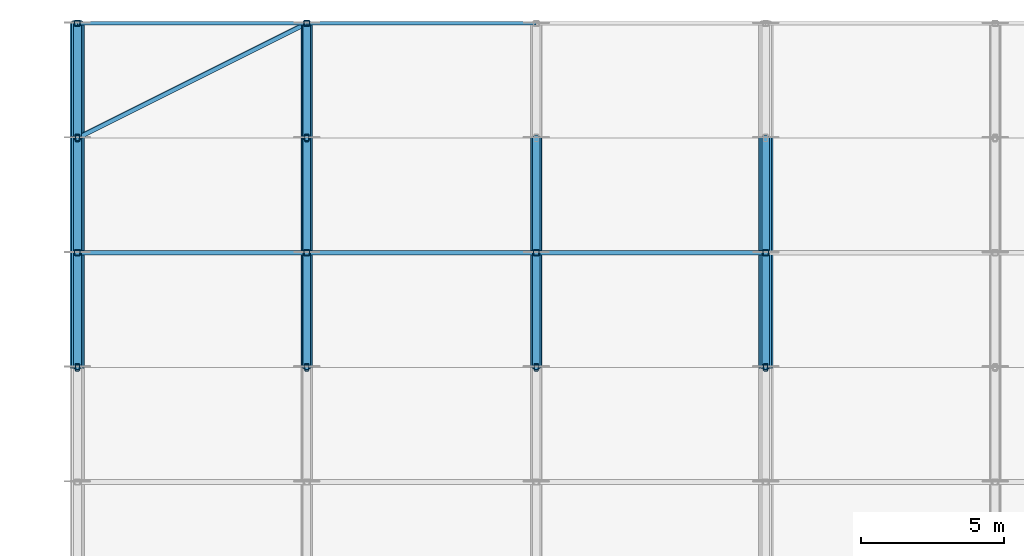
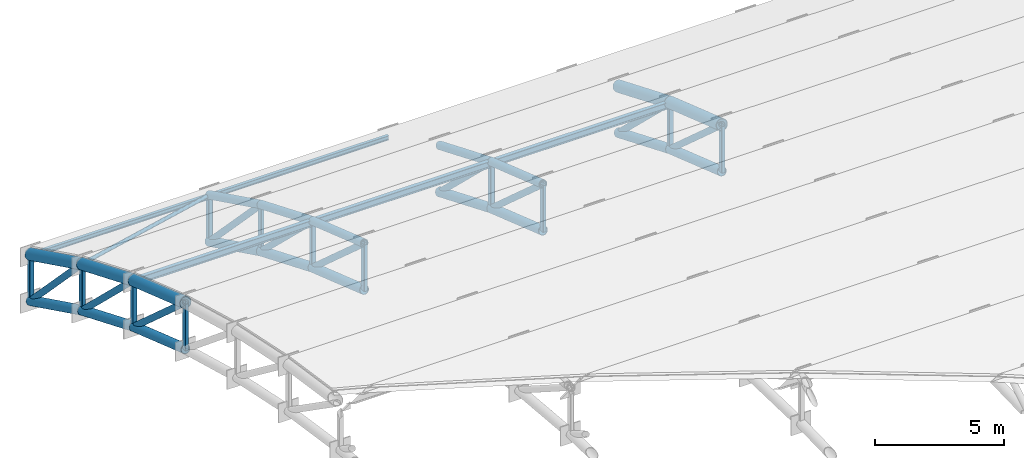
# One storey, part 17 of 98: 48 members.
"""IFC4 building model written with IfcOpenShell, lengths in metres."""

from ifc_helpers import new_model, si_unit, direction, frame, origin, origin_2d, place, context, subcontext, project, spatial, hollow_rectangle, hollow_circle, i_section, extrude, material, material_profile, profile_set, type_object, element, save


model = new_model("IFC4")

# Units and contexts
model_context = context("Model", 3, precision=1e-05, world=origin(), true_north=direction((0.0, 1.0)))
body_context = subcontext(model_context, "Body", "Model", "MODEL_VIEW")
ifc_project = project(units=[si_unit("LENGTHUNIT", "METRE"), si_unit("AREAUNIT", "SQUARE_METRE"), si_unit("VOLUMEUNIT", "CUBIC_METRE"), si_unit("PLANEANGLEUNIT", "RADIAN"), si_unit("MASSUNIT", "GRAM", prefix="KILO")], contexts=[model_context])

# Site, building, storey
site_placement = place(None, origin())
site = spatial("IfcSite", under=ifc_project, at=site_placement, CompositionType="ELEMENT")
building_placement = place(site_placement, origin())
building = spatial("IfcBuilding", under=site, at=building_placement, Name="Tlacozan Convention Centre", CompositionType="ELEMENT")
storey_placement = place(building_placement, frame((0.0, 0.0, 25.800048828125)))
storey = spatial("IfcBuildingStorey", under=building, at=storey_placement, Name="Roof", CompositionType="ELEMENT", Elevation=25.800048828125)

# Members
ifc_material_1 = material(Name="Steel ASTM A500 Grade C", Category="steel")
ifc_material_profile_1 = material_profile(ifc_material_1, hollow_circle(Radius=0.203125, WallThickness=0.015869140625, at=origin_2d()), Name="OC 406.4x15.9")
ifc_profile_set_1 = profile_set([ifc_material_profile_1], Name="Steel ASTM A500 Grade C")
member_type_1 = type_object("IfcMemberType", Name="Arch Bottom Chord OC 406.4x15.9", PredefinedType="CHORD", material=ifc_profile_set_1)
member_1_placement = place(storey_placement, frame((0.0, 114.0, -7.807861328125), z_axis=(0.0, 0.946164915813, -0.323684958077), x_axis=(-1.0, 0.0, 0.0)))
element("IfcMember", 1, at=member_1_placement, inside=storey, type_object=member_type_1, Name="V2A Roof Truss 1 Bottom Chord 14", PredefinedType="CHORD", context=body_context, shape_type="SweptSolid", body=[
    extrude(hollow_circle(Radius=0.203125, WallThickness=0.015869140625, at=origin_2d()), origin(), (0.0, 0.0, 1.0), 4.2275390625),
])
member_2_placement = place(storey_placement, frame((0.0, 118.0, -9.17626953125), z_axis=(0.0, 0.923948802258, -0.382516157575), x_axis=(-1.0, 0.0, 0.0)))
element("IfcMember", 2, at=member_2_placement, inside=storey, type_object=member_type_1, Name="V2A Roof Truss 1 Bottom Chord 15", PredefinedType="CHORD", context=body_context, shape_type="SweptSolid", body=[
    extrude(hollow_circle(Radius=0.203125, WallThickness=0.015869140625, at=origin_2d()), origin(), (0.0, 0.0, 1.0), 4.329345703125),
])
member_3_placement = place(storey_placement, frame((0.0, 122.0, -10.832275390625), z_axis=(0.0, 0.897300183135, -0.441420866459), x_axis=(-1.0, 0.0, 0.0)))
element("IfcMember", 3, at=member_3_placement, inside=storey, type_object=member_type_1, Name="V2A Roof Truss 1 Bottom Chord 16", PredefinedType="CHORD", context=body_context, shape_type="SweptSolid", body=[
    extrude(hollow_circle(Radius=0.203125, WallThickness=0.015869140625, at=origin_2d()), origin(), (0.0, 0.0, 1.0), 4.457763671875),
])
member_4_placement = place(storey_placement, frame((8.0, 114.0, -7.807861328125), z_axis=(0.0, 0.946164915813, -0.323684958077), x_axis=(-1.0, 0.0, 0.0)))
element("IfcMember", 4, at=member_4_placement, inside=storey, type_object=member_type_1, Name="V2A Roof Truss 2 Bottom Chord 14", PredefinedType="CHORD", context=body_context, shape_type="SweptSolid", body=[
    extrude(hollow_circle(Radius=0.203125, WallThickness=0.015869140625, at=origin_2d()), origin(), (0.0, 0.0, 1.0), 4.2275390625),
])
member_5_placement = place(storey_placement, frame((8.0, 118.0, -9.17626953125), z_axis=(0.0, 0.923948802258, -0.382516157575), x_axis=(-1.0, 0.0, 0.0)))
element("IfcMember", 5, at=member_5_placement, inside=storey, type_object=member_type_1, Name="V2A Roof Truss 2 Bottom Chord 15", PredefinedType="CHORD", context=body_context, shape_type="SweptSolid", body=[
    extrude(hollow_circle(Radius=0.203125, WallThickness=0.015869140625, at=origin_2d()), origin(), (0.0, 0.0, 1.0), 4.329345703125),
])
member_6_placement = place(storey_placement, frame((8.0, 122.0, -10.832275390625), z_axis=(0.0, 0.897300183135, -0.441420866459), x_axis=(-1.0, 0.0, 0.0)))
element("IfcMember", 6, at=member_6_placement, inside=storey, type_object=member_type_1, Name="V2A Roof Truss 2 Bottom Chord 16", PredefinedType="CHORD", context=body_context, shape_type="SweptSolid", body=[
    extrude(hollow_circle(Radius=0.203125, WallThickness=0.015869140625, at=origin_2d()), origin(), (0.0, 0.0, 1.0), 4.457763671875),
])
member_7_placement = place(storey_placement, frame((16.0, 114.0, -7.807861328125), z_axis=(0.0, 0.946164915813, -0.323684958077), x_axis=(-1.0, 0.0, 0.0)))
element("IfcMember", 7, at=member_7_placement, inside=storey, type_object=member_type_1, Name="V2A Roof Truss 3 Bottom Chord 14", PredefinedType="CHORD", context=body_context, shape_type="SweptSolid", body=[
    extrude(hollow_circle(Radius=0.203125, WallThickness=0.015869140625, at=origin_2d()), origin(), (0.0, 0.0, 1.0), 4.2275390625),
])
member_8_placement = place(storey_placement, frame((16.0, 118.0, -9.17626953125), z_axis=(0.0, 0.923948802258, -0.382516157575), x_axis=(-1.0, 0.0, 0.0)))
element("IfcMember", 8, at=member_8_placement, inside=storey, type_object=member_type_1, Name="V2A Roof Truss 3 Bottom Chord 15", PredefinedType="CHORD", context=body_context, shape_type="SweptSolid", body=[
    extrude(hollow_circle(Radius=0.203125, WallThickness=0.015869140625, at=origin_2d()), origin(), (0.0, 0.0, 1.0), 4.329345703125),
])
member_9_placement = place(storey_placement, frame((24.0, 114.0, -7.807861328125), z_axis=(0.0, 0.946164915813, -0.323684958077), x_axis=(-1.0, 0.0, 0.0)))
element("IfcMember", 9, at=member_9_placement, inside=storey, type_object=member_type_1, Name="V2A Roof Truss 4 Bottom Chord 14", PredefinedType="CHORD", context=body_context, shape_type="SweptSolid", body=[
    extrude(hollow_circle(Radius=0.203125, WallThickness=0.015869140625, at=origin_2d()), origin(), (0.0, 0.0, 1.0), 4.2275390625),
])
member_10_placement = place(storey_placement, frame((24.0, 118.0, -9.17626953125), z_axis=(0.0, 0.923948802258, -0.382516157575), x_axis=(-1.0, 0.0, 0.0)))
element("IfcMember", 10, at=member_10_placement, inside=storey, type_object=member_type_1, Name="V2A Roof Truss 4 Bottom Chord 15", PredefinedType="CHORD", context=body_context, shape_type="SweptSolid", body=[
    extrude(hollow_circle(Radius=0.203125, WallThickness=0.015869140625, at=origin_2d()), origin(), (0.0, 0.0, 1.0), 4.329345703125),
])
ifc_material_profile_2 = material_profile(ifc_material_1, hollow_circle(Radius=0.25390625, WallThickness=0.01904296875, at=origin_2d()), Name="OC 508.0x19.1")
ifc_profile_set_2 = profile_set([ifc_material_profile_2], Name="Steel ASTM A500 Grade C")
member_type_2 = type_object("IfcMemberType", Name="Arch Top Chord OC 508x19.1", PredefinedType="CHORD", material=ifc_profile_set_2)
member_11_placement = place(storey_placement, frame((0.0, 114.0, -5.607666015625), z_axis=(0.0, 0.946164915813, -0.323684958077), x_axis=(-1.0, 0.0, 0.0)))
element("IfcMember", 11, at=member_11_placement, inside=storey, type_object=member_type_2, Name="V2A Roof Truss 1 Top Chord 14", PredefinedType="CHORD", context=body_context, shape_type="SweptSolid", body=[
    extrude(hollow_circle(Radius=0.25390625, WallThickness=0.01904296875, at=origin_2d()), origin(), (0.0, 0.0, 1.0), 4.2275390625),
])
member_12_placement = place(storey_placement, frame((0.0, 118.0, -6.97607421875), z_axis=(0.0, 0.923928870591, -0.382564297979), x_axis=(-1.0, 0.0, 0.0)))
element("IfcMember", 12, at=member_12_placement, inside=storey, type_object=member_type_2, Name="V2A Roof Truss 1 Top Chord 15", PredefinedType="CHORD", context=body_context, shape_type="SweptSolid", body=[
    extrude(hollow_circle(Radius=0.25390625, WallThickness=0.01904296875, at=origin_2d()), origin(), (0.0, 0.0, 1.0), 4.329345703125),
])
member_13_placement = place(storey_placement, frame((0.0, 122.0, -8.63232421875), z_axis=(0.0, 0.897300183135, -0.441420866459), x_axis=(-1.0, 0.0, 0.0)))
element("IfcMember", 13, at=member_13_placement, inside=storey, type_object=member_type_2, Name="V2A Roof Truss 1 Top Chord 16", PredefinedType="CHORD", context=body_context, shape_type="SweptSolid", body=[
    extrude(hollow_circle(Radius=0.25390625, WallThickness=0.01904296875, at=origin_2d()), origin(), (0.0, 0.0, 1.0), 4.457763671875),
])
member_14_placement = place(storey_placement, frame((24.0, 114.0, -5.607666015625), z_axis=(0.0, 0.946164915813, -0.323684958077), x_axis=(-1.0, 0.0, 0.0)))
element("IfcMember", 14, at=member_14_placement, inside=storey, type_object=member_type_2, Name="V2A Roof Truss 4 Top Chord 14", PredefinedType="CHORD", context=body_context, shape_type="SweptSolid", body=[
    extrude(hollow_circle(Radius=0.25390625, WallThickness=0.01904296875, at=origin_2d()), origin(), (0.0, 0.0, 1.0), 4.2275390625),
])
member_15_placement = place(storey_placement, frame((24.0, 118.0, -6.97607421875), z_axis=(0.0, 0.923928870591, -0.382564297979), x_axis=(-1.0, 0.0, 0.0)))
element("IfcMember", 15, at=member_15_placement, inside=storey, type_object=member_type_2, Name="V2A Roof Truss 4 Top Chord 15", PredefinedType="CHORD", context=body_context, shape_type="SweptSolid", body=[
    extrude(hollow_circle(Radius=0.25390625, WallThickness=0.01904296875, at=origin_2d()), origin(), (0.0, 0.0, 1.0), 4.329345703125),
])
ifc_material_profile_3 = material_profile(ifc_material_1, hollow_circle(Radius=0.136474609375, WallThickness=0.0126953125, at=origin_2d()), Name="OC 273.1x12.7")
ifc_profile_set_3 = profile_set([ifc_material_profile_3], Name="Steel ASTM A500 Grade C")
member_type_3 = type_object("IfcMemberType", Name="Arch Web Diagonal OC 273.1x12.7", PredefinedType="BRACE", material=ifc_profile_set_3)
member_16_placement = place(storey_placement, frame((0.0, 114.0, -5.607666015625), z_axis=(0.0, 0.746199427712, -0.665722475272), x_axis=(-1.0, 0.0, 0.0)))
element("IfcMember", 16, at=member_16_placement, inside=storey, type_object=member_type_3, Name="V2A Roof Truss 1 Web Diagonal 14", PredefinedType="BRACE", context=body_context, shape_type="SweptSolid", body=[
    extrude(hollow_circle(Radius=0.136474609375, WallThickness=0.0126953125, at=origin_2d()), origin(), (0.0, 0.0, 1.0), 5.360595703125),
])
member_17_placement = place(storey_placement, frame((0.0, 118.0, -6.97607421875), z_axis=(0.0, 0.719928977367, -0.694047741547), x_axis=(-1.0, 0.0, 0.0)))
element("IfcMember", 17, at=member_17_placement, inside=storey, type_object=member_type_3, Name="V2A Roof Truss 1 Web Diagonal 15", PredefinedType="BRACE", context=body_context, shape_type="SweptSolid", body=[
    extrude(hollow_circle(Radius=0.136474609375, WallThickness=0.0126953125, at=origin_2d()), origin(), (0.0, 0.0, 1.0), 5.55615234375),
])
member_18_placement = place(storey_placement, frame((0.0, 122.0, -8.63232421875), z_axis=(0.0, 0.69244032859, -0.721475149497), x_axis=(-1.0, 0.0, 0.0)))
element("IfcMember", 18, at=member_18_placement, inside=storey, type_object=member_type_3, Name="V2A Roof Truss 1 Web Diagonal 16", PredefinedType="BRACE", context=body_context, shape_type="SweptSolid", body=[
    extrude(hollow_circle(Radius=0.136474609375, WallThickness=0.0126953125, at=origin_2d()), origin(), (0.0, 0.0, 1.0), 5.776611328125),
])
member_19_placement = place(storey_placement, frame((8.0, 114.0, -5.607666015625), z_axis=(0.0, 0.746199427712, -0.665722475272), x_axis=(-1.0, 0.0, 0.0)))
element("IfcMember", 19, at=member_19_placement, inside=storey, type_object=member_type_3, Name="V2A Roof Truss 2 Web Diagonal 14", PredefinedType="BRACE", context=body_context, shape_type="SweptSolid", body=[
    extrude(hollow_circle(Radius=0.136474609375, WallThickness=0.0126953125, at=origin_2d()), origin(), (0.0, 0.0, 1.0), 5.360595703125),
])
member_20_placement = place(storey_placement, frame((8.0, 118.0, -6.97607421875), z_axis=(0.0, 0.719928977367, -0.694047741547), x_axis=(-1.0, 0.0, 0.0)))
element("IfcMember", 20, at=member_20_placement, inside=storey, type_object=member_type_3, Name="V2A Roof Truss 2 Web Diagonal 15", PredefinedType="BRACE", context=body_context, shape_type="SweptSolid", body=[
    extrude(hollow_circle(Radius=0.136474609375, WallThickness=0.0126953125, at=origin_2d()), origin(), (0.0, 0.0, 1.0), 5.55615234375),
])
member_21_placement = place(storey_placement, frame((8.0, 122.0, -8.63232421875), z_axis=(0.0, 0.69244032859, -0.721475149497), x_axis=(-1.0, 0.0, 0.0)))
element("IfcMember", 21, at=member_21_placement, inside=storey, type_object=member_type_3, Name="V2A Roof Truss 2 Web Diagonal 16", PredefinedType="BRACE", context=body_context, shape_type="SweptSolid", body=[
    extrude(hollow_circle(Radius=0.136474609375, WallThickness=0.0126953125, at=origin_2d()), origin(), (0.0, 0.0, 1.0), 5.776611328125),
])
member_22_placement = place(storey_placement, frame((16.0, 114.0, -5.607666015625), z_axis=(0.0, 0.746199427712, -0.665722475272), x_axis=(-1.0, 0.0, 0.0)))
element("IfcMember", 22, at=member_22_placement, inside=storey, type_object=member_type_3, Name="V2A Roof Truss 3 Web Diagonal 14", PredefinedType="BRACE", context=body_context, shape_type="SweptSolid", body=[
    extrude(hollow_circle(Radius=0.136474609375, WallThickness=0.0126953125, at=origin_2d()), origin(), (0.0, 0.0, 1.0), 5.360595703125),
])
member_23_placement = place(storey_placement, frame((16.0, 118.0, -6.97607421875), z_axis=(0.0, 0.719928977367, -0.694047741547), x_axis=(-1.0, 0.0, 0.0)))
element("IfcMember", 23, at=member_23_placement, inside=storey, type_object=member_type_3, Name="V2A Roof Truss 3 Web Diagonal 15", PredefinedType="BRACE", context=body_context, shape_type="SweptSolid", body=[
    extrude(hollow_circle(Radius=0.136474609375, WallThickness=0.0126953125, at=origin_2d()), origin(), (0.0, 0.0, 1.0), 5.55615234375),
])
member_24_placement = place(storey_placement, frame((24.0, 114.0, -5.607666015625), z_axis=(0.0, 0.746199427712, -0.665722475272), x_axis=(-1.0, 0.0, 0.0)))
element("IfcMember", 24, at=member_24_placement, inside=storey, type_object=member_type_3, Name="V2A Roof Truss 4 Web Diagonal 14", PredefinedType="BRACE", context=body_context, shape_type="SweptSolid", body=[
    extrude(hollow_circle(Radius=0.136474609375, WallThickness=0.0126953125, at=origin_2d()), origin(), (0.0, 0.0, 1.0), 5.360595703125),
])
member_25_placement = place(storey_placement, frame((24.0, 118.0, -6.97607421875), z_axis=(0.0, 0.719928977367, -0.694047741547), x_axis=(-1.0, 0.0, 0.0)))
element("IfcMember", 25, at=member_25_placement, inside=storey, type_object=member_type_3, Name="V2A Roof Truss 4 Web Diagonal 15", PredefinedType="BRACE", context=body_context, shape_type="SweptSolid", body=[
    extrude(hollow_circle(Radius=0.136474609375, WallThickness=0.0126953125, at=origin_2d()), origin(), (0.0, 0.0, 1.0), 5.55615234375),
])
ifc_material_profile_4 = material_profile(ifc_material_1, hollow_rectangle(XDim=0.203125, YDim=0.203125, WallThickness=0.0126953125, InnerFilletRadius=0.0126953125, OuterFilletRadius=0.02490234375, at=origin_2d()), Name="OR 203x203x12.7")
ifc_profile_set_4 = profile_set([ifc_material_profile_4], Name="Steel ASTM A500 Grade C")
member_type_4 = type_object("IfcMemberType", Name="Arch Web Strut OR 203x203x12.7", PredefinedType="STRUT", material=ifc_profile_set_4)
member_26_placement = place(storey_placement, frame((0.0, 118.0, -9.17626953125), z_axis=(0.0, 0.0, 1.0), x_axis=(1.0, 0.0, 0.0)))
element("IfcMember", 26, at=member_26_placement, inside=storey, type_object=member_type_4, Name="V2A Roof Truss 1 Vertical Strut 15", PredefinedType="STRUT", context=body_context, shape_type="SweptSolid", body=[
    extrude(hollow_rectangle(XDim=0.203125, YDim=0.203125, WallThickness=0.0126953125, InnerFilletRadius=0.0126953125, OuterFilletRadius=0.02490234375, at=origin_2d()), origin(), (0.0, 0.0, 1.0), 2.2001953125),
])
member_27_placement = place(storey_placement, frame((0.0, 126.0, -12.800048828125), z_axis=(0.0, 0.0, 1.0), x_axis=(1.0, 0.0, 0.0)))
element("IfcMember", 27, at=member_27_placement, inside=storey, type_object=member_type_4, Name="V2A Roof Truss 1 Vertical Strut 17", PredefinedType="STRUT", context=body_context, shape_type="SweptSolid", body=[
    extrude(hollow_rectangle(XDim=0.203125, YDim=0.203125, WallThickness=0.0126953125, InnerFilletRadius=0.0126953125, OuterFilletRadius=0.02490234375, at=origin_2d()), origin(), (0.0, 0.0, 1.0), 2.199951171875),
])
member_28_placement = place(storey_placement, frame((8.0, 118.0, -9.17626953125), z_axis=(0.0, 0.0, 1.0), x_axis=(1.0, 0.0, 0.0)))
element("IfcMember", 28, at=member_28_placement, inside=storey, type_object=member_type_4, Name="V2A Roof Truss 2 Vertical Strut 15", PredefinedType="STRUT", context=body_context, shape_type="SweptSolid", body=[
    extrude(hollow_rectangle(XDim=0.203125, YDim=0.203125, WallThickness=0.0126953125, InnerFilletRadius=0.0126953125, OuterFilletRadius=0.02490234375, at=origin_2d()), origin(), (0.0, 0.0, 1.0), 2.2001953125),
])
member_29_placement = place(storey_placement, frame((8.0, 126.0, -12.800048828125), z_axis=(0.0, 0.0, 1.0), x_axis=(1.0, 0.0, 0.0)))
element("IfcMember", 29, at=member_29_placement, inside=storey, type_object=member_type_4, Name="V2A Roof Truss 2 Vertical Strut 17", PredefinedType="STRUT", context=body_context, shape_type="SweptSolid", body=[
    extrude(hollow_rectangle(XDim=0.203125, YDim=0.203125, WallThickness=0.0126953125, InnerFilletRadius=0.0126953125, OuterFilletRadius=0.02490234375, at=origin_2d()), origin(), (0.0, 0.0, 1.0), 2.199951171875),
])
for number, where, z_axis, x_axis, name in (
    (30, (16.0, 118.0, -9.17626953125), (0.0, 0.0, 1.0), (1.0, 0.0, 0.0), "V2A Roof Truss 3 Vertical Strut 15"),
    (31, (24.0, 118.0, -9.17626953125), (0.0, 0.0, 1.0), (1.0, 0.0, 0.0), "V2A Roof Truss 4 Vertical Strut 15"),
):
    element("IfcMember", number, at=place(storey_placement, frame(where, z_axis=z_axis, x_axis=x_axis)), inside=storey, type_object=member_type_4, Name=name, PredefinedType="STRUT", context=body_context, shape_type="SweptSolid", body=[
        extrude(hollow_rectangle(XDim=0.203125, YDim=0.203125, WallThickness=0.0126953125, InnerFilletRadius=0.0126953125, OuterFilletRadius=0.02490234375, at=origin_2d()), origin(), (0.0, 0.0, 1.0), 2.2001953125),
    ])
ifc_material_profile_5 = material_profile(ifc_material_1, hollow_circle(Radius=0.084228515625, WallThickness=0.007080078125, at=origin_2d()), Name="OC 168.3x7.1")
ifc_profile_set_5 = profile_set([ifc_material_profile_5], Name="Steel ASTM A500 Grade C")
member_type_5 = type_object("IfcMemberType", Name="Canopy Tie Brace OC 168.3x7.1", PredefinedType="BRACE", material=ifc_profile_set_5)
member_30_placement = place(storey_placement, frame((0.0, 122.0, -8.63232421875), z_axis=(0.873536677994, 0.436768338997, -0.214865283955), x_axis=(-0.4472135955, 0.894427191, 0.0)))
element("IfcMember", 32, at=member_30_placement, inside=storey, type_object=member_type_5, Name="V2A Roof Truss Plan Brace 1.16", PredefinedType="BRACE", context=body_context, shape_type="SweptSolid", body=[
    extrude(hollow_circle(Radius=0.084228515625, WallThickness=0.007080078125, at=origin_2d()), origin(), (0.0, 0.0, 1.0), 9.158203125),
])
ifc_material_2 = material(Name="Steel ASTM A992 Grade 50", Category="steel")
ifc_material_profile_6 = material_profile(ifc_material_2, i_section(OverallWidth=0.1669921875, OverallDepth=0.31689453125, WebThickness=0.007568359375, FlangeThickness=0.01318359375, FilletRadius=0.010009765625, at=origin_2d()), Name="IR 305x52.2")
ifc_profile_set_6 = profile_set([ifc_material_profile_6], Name="Steel ASTM A992 Grade 50")
member_type_6 = type_object("IfcMemberType", Name="Roof Purlin IR 305x52.2", PredefinedType="PURLIN", material=ifc_profile_set_6)
for number, where, z_axis, x_axis, name in (
    (33, (0.0, 118.0, -7.041259765625), (1.0, 0.0, 0.0), (0.0, 1.0, 0.0), "V2A Roof Truss Purlin 1.15"),
    (34, (8.0, 118.0, -7.041259765625), (1.0, 0.0, 0.0), (0.0, 1.0, 0.0), "V2A Roof Truss Purlin 2.15"),
    (35, (16.0, 118.0, -7.041259765625), (1.0, 0.0, 0.0), (0.0, 1.0, 0.0), "V2A Roof Truss Purlin 3.15"),
):
    element("IfcMember", number, at=place(storey_placement, frame(where, z_axis=z_axis, x_axis=x_axis)), inside=storey, type_object=member_type_6, Name=name, PredefinedType="PURLIN", context=body_context, shape_type="SweptSolid", body=[
        extrude(i_section(OverallWidth=0.1669921875, OverallDepth=0.31689453125, WebThickness=0.007568359375, FlangeThickness=0.01318359375, FilletRadius=0.010009765625, at=origin_2d()), origin(), (0.0, 0.0, 1.0), 8.0),
    ])
ifc_material_profile_7 = material_profile(ifc_material_1, hollow_circle(Radius=0.177734375, WallThickness=0.015869140625, at=origin_2d()), Name="OC 355.6x15.9")
ifc_profile_set_7 = profile_set([ifc_material_profile_7], Name="Steel ASTM A500 Grade C")
member_type_7 = type_object("IfcMemberType", Name="Secondary Arch Chord OC 355.6x15.9", PredefinedType="CHORD", material=ifc_profile_set_7)
member_31_placement = place(storey_placement, frame((8.0, 114.0, -5.607666015625), z_axis=(0.0, 0.946164915813, -0.323684958077), x_axis=(-1.0, 0.0, 0.0)))
element("IfcMember", 36, at=member_31_placement, inside=storey, type_object=member_type_7, Name="V2A Roof Truss 2 Top Chord 14", PredefinedType="CHORD", context=body_context, shape_type="SweptSolid", body=[
    extrude(hollow_circle(Radius=0.177734375, WallThickness=0.015869140625, at=origin_2d()), origin(), (0.0, 0.0, 1.0), 4.2275390625),
])
member_32_placement = place(storey_placement, frame((8.0, 118.0, -6.97607421875), z_axis=(0.0, 0.923928870591, -0.382564297979), x_axis=(-1.0, 0.0, 0.0)))
element("IfcMember", 37, at=member_32_placement, inside=storey, type_object=member_type_7, Name="V2A Roof Truss 2 Top Chord 15", PredefinedType="CHORD", context=body_context, shape_type="SweptSolid", body=[
    extrude(hollow_circle(Radius=0.177734375, WallThickness=0.015869140625, at=origin_2d()), origin(), (0.0, 0.0, 1.0), 4.329345703125),
])
member_33_placement = place(storey_placement, frame((8.0, 122.0, -8.63232421875), z_axis=(0.0, 0.897300183135, -0.441420866459), x_axis=(-1.0, 0.0, 0.0)))
element("IfcMember", 38, at=member_33_placement, inside=storey, type_object=member_type_7, Name="V2A Roof Truss 2 Top Chord 16", PredefinedType="CHORD", context=body_context, shape_type="SweptSolid", body=[
    extrude(hollow_circle(Radius=0.177734375, WallThickness=0.015869140625, at=origin_2d()), origin(), (0.0, 0.0, 1.0), 4.457763671875),
])
member_34_placement = place(storey_placement, frame((16.0, 114.0, -5.607666015625), z_axis=(0.0, 0.946164915813, -0.323684958077), x_axis=(-1.0, 0.0, 0.0)))
element("IfcMember", 39, at=member_34_placement, inside=storey, type_object=member_type_7, Name="V2A Roof Truss 3 Top Chord 14", PredefinedType="CHORD", context=body_context, shape_type="SweptSolid", body=[
    extrude(hollow_circle(Radius=0.177734375, WallThickness=0.015869140625, at=origin_2d()), origin(), (0.0, 0.0, 1.0), 4.2275390625),
])
member_35_placement = place(storey_placement, frame((16.0, 118.0, -6.97607421875), z_axis=(0.0, 0.923928870591, -0.382564297979), x_axis=(-1.0, 0.0, 0.0)))
element("IfcMember", 40, at=member_35_placement, inside=storey, type_object=member_type_7, Name="V2A Roof Truss 3 Top Chord 15", PredefinedType="CHORD", context=body_context, shape_type="SweptSolid", body=[
    extrude(hollow_circle(Radius=0.177734375, WallThickness=0.015869140625, at=origin_2d()), origin(), (0.0, 0.0, 1.0), 4.329345703125),
])
ifc_material_profile_8 = material_profile(ifc_material_2, i_section(OverallWidth=0.134033203125, OverallDepth=0.2099609375, WebThickness=0.00634765625, FlangeThickness=0.01025390625, FilletRadius=0.008056640625, at=origin_2d()), Name="IR 203x31.3")
ifc_profile_set_8 = profile_set([ifc_material_profile_8], Name="Steel ASTM A992 Grade 50")
member_type_8 = type_object("IfcMemberType", Name="Secondary Eave Purlin IR 203x31.3", PredefinedType="PURLIN", material=ifc_profile_set_8)
for number, where, z_axis, x_axis, name in (
    (41, (0.0, 126.0, -10.6650390625), (1.0, 0.0, 0.0), (0.0, 1.0, 0.0), "V2A Roof Truss Purlin 1.17"),
    (42, (8.0, 126.0, -10.6650390625), (1.0, 0.0, 0.0), (0.0, 1.0, 0.0), "V2A Roof Truss Purlin 2.17"),
):
    element("IfcMember", number, at=place(storey_placement, frame(where, z_axis=z_axis, x_axis=x_axis)), inside=storey, type_object=member_type_8, Name=name, PredefinedType="PURLIN", context=body_context, shape_type="SweptSolid", body=[
        extrude(i_section(OverallWidth=0.134033203125, OverallDepth=0.2099609375, WebThickness=0.00634765625, FlangeThickness=0.01025390625, FilletRadius=0.008056640625, at=origin_2d()), origin(), (0.0, 0.0, 1.0), 8.0),
    ])
ifc_material_profile_9 = material_profile(ifc_material_1, hollow_rectangle(XDim=0.15234375, YDim=0.25390625, WallThickness=0.0126953125, InnerFilletRadius=0.0126953125, OuterFilletRadius=0.02490234375, at=origin_2d()), Name="OR 254x152x12.7")
ifc_profile_set_9 = profile_set([ifc_material_profile_9], Name="Steel ASTM A500 Grade C")
member_type_9 = type_object("IfcMemberType", Name="Truss Secondary Strut OR 254x152x12.7", PredefinedType="STRUT", material=ifc_profile_set_9)
member_36_placement = place(storey_placement, frame((0.0, 114.0, -7.807861328125), z_axis=(0.0, 0.0, 1.0), x_axis=(1.0, 0.0, 0.0)))
element("IfcMember", 43, at=member_36_placement, inside=storey, type_object=member_type_9, Name="V2A Roof Truss 1 Vertical Strut 14", PredefinedType="STRUT", context=body_context, shape_type="SweptSolid", body=[
    extrude(hollow_rectangle(XDim=0.15234375, YDim=0.25390625, WallThickness=0.0126953125, InnerFilletRadius=0.0126953125, OuterFilletRadius=0.02490234375, at=origin_2d()), origin(), (0.0, 0.0, 1.0), 2.2001953125),
])
member_37_placement = place(storey_placement, frame((0.0, 122.0, -10.832275390625), z_axis=(0.0, 0.0, 1.0), x_axis=(1.0, 0.0, 0.0)))
element("IfcMember", 44, at=member_37_placement, inside=storey, type_object=member_type_9, Name="V2A Roof Truss 1 Vertical Strut 16", PredefinedType="STRUT", context=body_context, shape_type="SweptSolid", body=[
    extrude(hollow_rectangle(XDim=0.15234375, YDim=0.25390625, WallThickness=0.0126953125, InnerFilletRadius=0.0126953125, OuterFilletRadius=0.02490234375, at=origin_2d()), origin(), (0.0, 0.0, 1.0), 2.199951171875),
])
member_38_placement = place(storey_placement, frame((8.0, 114.0, -7.807861328125), z_axis=(0.0, 0.0, 1.0), x_axis=(1.0, 0.0, 0.0)))
element("IfcMember", 45, at=member_38_placement, inside=storey, type_object=member_type_9, Name="V2A Roof Truss 2 Vertical Strut 14", PredefinedType="STRUT", context=body_context, shape_type="SweptSolid", body=[
    extrude(hollow_rectangle(XDim=0.15234375, YDim=0.25390625, WallThickness=0.0126953125, InnerFilletRadius=0.0126953125, OuterFilletRadius=0.02490234375, at=origin_2d()), origin(), (0.0, 0.0, 1.0), 2.2001953125),
])
member_39_placement = place(storey_placement, frame((8.0, 122.0, -10.832275390625), z_axis=(0.0, 0.0, 1.0), x_axis=(1.0, 0.0, 0.0)))
element("IfcMember", 46, at=member_39_placement, inside=storey, type_object=member_type_9, Name="V2A Roof Truss 2 Vertical Strut 16", PredefinedType="STRUT", context=body_context, shape_type="SweptSolid", body=[
    extrude(hollow_rectangle(XDim=0.15234375, YDim=0.25390625, WallThickness=0.0126953125, InnerFilletRadius=0.0126953125, OuterFilletRadius=0.02490234375, at=origin_2d()), origin(), (0.0, 0.0, 1.0), 2.199951171875),
])
for number, where, z_axis, x_axis, name in (
    (47, (16.0, 114.0, -7.807861328125), (0.0, 0.0, 1.0), (1.0, 0.0, 0.0), "V2A Roof Truss 3 Vertical Strut 14"),
    (48, (24.0, 114.0, -7.807861328125), (0.0, 0.0, 1.0), (1.0, 0.0, 0.0), "V2A Roof Truss 4 Vertical Strut 14"),
):
    element("IfcMember", number, at=place(storey_placement, frame(where, z_axis=z_axis, x_axis=x_axis)), inside=storey, type_object=member_type_9, Name=name, PredefinedType="STRUT", context=body_context, shape_type="SweptSolid", body=[
        extrude(hollow_rectangle(XDim=0.15234375, YDim=0.25390625, WallThickness=0.0126953125, InnerFilletRadius=0.0126953125, OuterFilletRadius=0.02490234375, at=origin_2d()), origin(), (0.0, 0.0, 1.0), 2.2001953125),
    ])

save(model, "model.ifc")
